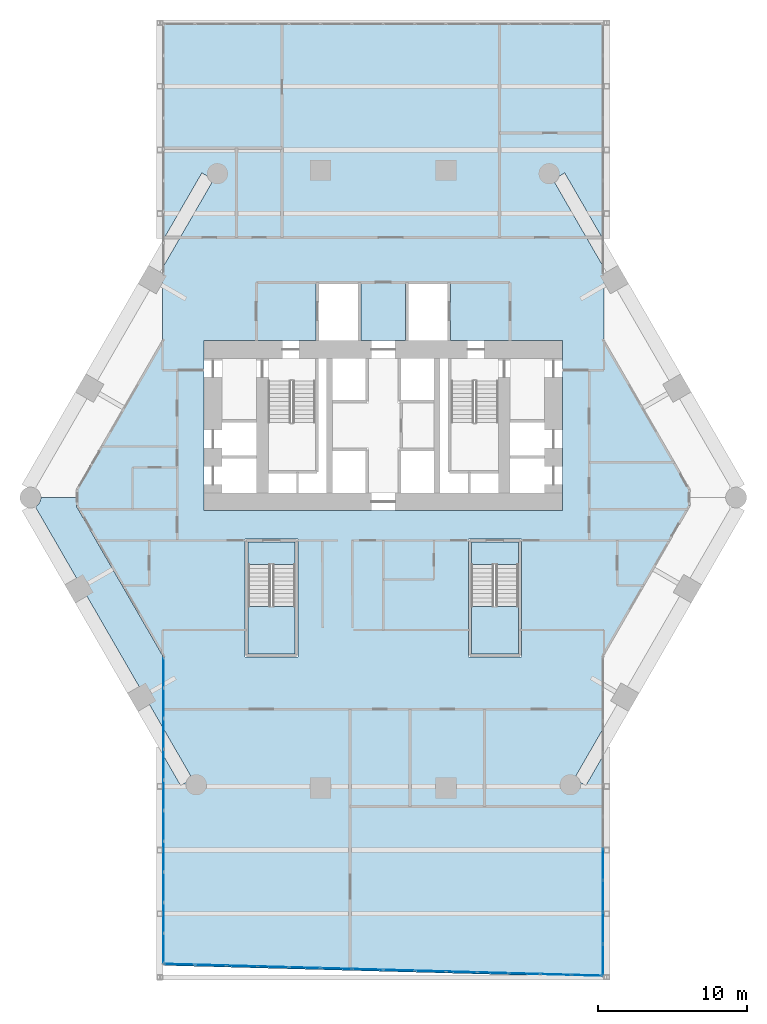
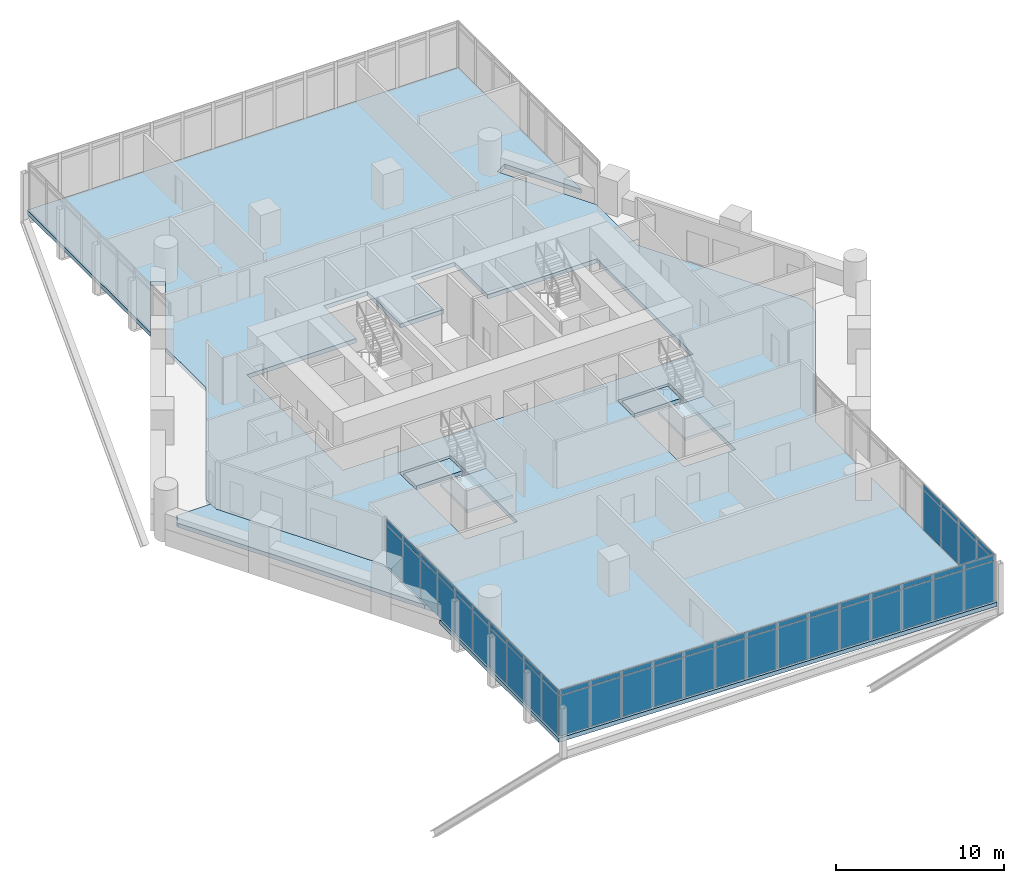
# One storey, part 27 of 38: 56 plates, 6 slabs, 5 elements without a shape of their own.
"""IFC4 building model written with IfcOpenShell, lengths in metres."""

from ifc_helpers import new_model, si_unit, direction, frame, origin, origin_2d, place, context, subcontext, project, spatial, polyline, rectangle, outline, extrude, material, layer, layer_set, type_object, element, aggregate, save


model = new_model("IFC4")

# Units and contexts
model_context = context("Model", 3, precision=1e-05, world=origin(), true_north=direction((0.0, 1.0)))
body_context = subcontext(model_context, "Body", "Model", "MODEL_VIEW")
ifc_project = project(units=[si_unit("LENGTHUNIT", "METRE"), si_unit("AREAUNIT", "SQUARE_METRE"), si_unit("VOLUMEUNIT", "CUBIC_METRE"), si_unit("PLANEANGLEUNIT", "RADIAN"), si_unit("MASSUNIT", "GRAM", prefix="KILO")], contexts=[model_context])

# Site, building, storey
site_placement = place(None, origin())
site = spatial("IfcSite", under=ifc_project, at=site_placement, CompositionType="ELEMENT")
building_placement = place(site_placement, origin())
building = spatial("IfcBuilding", under=site, at=building_placement, Name="Ostrander Bayou Hotel Tower", CompositionType="ELEMENT")
storey_placement = place(building_placement, frame((0.0, 0.0, 65.5)))
storey = spatial("IfcBuildingStorey", under=building, at=storey_placement, Name="L16", CompositionType="ELEMENT", Elevation=65.5)

# Curtain wall, plates
ifc_material_1 = material(Name="Aluminium and clear glass", Category="aluminium")
curtain_wall_type = type_object("IfcCurtainWallType", Name="CW-BAR glazed wall", PredefinedType="NOTDEFINED", material=ifc_material_1)
curtain_wall_1_placement = place(storey_placement, origin())
curtain_wall_1 = element("IfcCurtainWall", 1, at=curtain_wall_1_placement, inside=storey, type_object=curtain_wall_type, Name="CW-BAR L16:SB1S:E", PredefinedType="NOTDEFINED")
ifc_material_2 = material(Name="Clear laminated glass", Category="glass")
ifc_layer_1 = layer(ifc_material_2, 0.028076171875)
ifc_layer_set_1 = layer_set([ifc_layer_1], Name="CW-BR glazing panel 28 mm")
plate_type = type_object("IfcPlateType", Name="CW-BR glazing panel 28 mm", PredefinedType="CURTAIN_PANEL", material=ifc_layer_set_1)
plate_1_placement = place(storey_placement, frame((-14.712158203125, -12.559326171875, 0.06005859375), z_axis=(0.0, 0.0, 1.0), x_axis=(0.0, -1.0, 0.0)))
plate_1 = element("IfcPlate", 2, at=plate_1_placement, type_object=plate_type, Name="CW-BAR panel 1.1", PredefinedType="CURTAIN_PANEL", context=body_context, shape_type="SweptSolid", body=[
    extrude(rectangle(XDim=1.96337890625, YDim=0.028076171875, at=origin_2d()), origin(), (0.0, 0.0, 1.0), 2.909912109375),
])
plate_2_placement = place(storey_placement, frame((-14.712158203125, -12.559326171875, 3.02978515625), z_axis=(0.0, 0.0, 1.0), x_axis=(0.0, -1.0, 0.0)))
plate_2 = element("IfcPlate", 3, at=plate_2_placement, type_object=plate_type, Name="CW-BAR panel 1.2", PredefinedType="CURTAIN_PANEL", context=body_context, shape_type="SweptSolid", body=[
    extrude(rectangle(XDim=1.96337890625, YDim=0.028076171875, at=origin_2d()), origin(), (0.0, 0.0, 1.0), 0.360107421875),
])
plate_3_placement = place(storey_placement, frame((-14.712158203125, -14.597900390625, 0.06005859375), z_axis=(0.0, 0.0, 1.0), x_axis=(0.0, -1.0, 0.0)))
plate_3 = element("IfcPlate", 4, at=plate_3_placement, type_object=plate_type, Name="CW-BAR panel 2.1", PredefinedType="CURTAIN_PANEL", context=body_context, shape_type="SweptSolid", body=[
    extrude(rectangle(XDim=1.993408203125, YDim=0.028076171875, at=origin_2d()), origin(), (0.0, 0.0, 1.0), 2.909912109375),
])
plate_4_placement = place(storey_placement, frame((-14.712158203125, -14.597900390625, 3.02978515625), z_axis=(0.0, 0.0, 1.0), x_axis=(0.0, -1.0, 0.0)))
plate_4 = element("IfcPlate", 5, at=plate_4_placement, type_object=plate_type, Name="CW-BAR panel 2.2", PredefinedType="CURTAIN_PANEL", context=body_context, shape_type="SweptSolid", body=[
    extrude(rectangle(XDim=1.993408203125, YDim=0.028076171875, at=origin_2d()), origin(), (0.0, 0.0, 1.0), 0.360107421875),
])
plate_5_placement = place(storey_placement, frame((-14.712158203125, -16.6513671875, 0.06005859375), z_axis=(0.0, 0.0, 1.0), x_axis=(0.0, -1.0, 0.0)))
plate_5 = element("IfcPlate", 6, at=plate_5_placement, type_object=plate_type, Name="CW-BAR panel 3.1", PredefinedType="CURTAIN_PANEL", context=body_context, shape_type="SweptSolid", body=[
    extrude(rectangle(XDim=1.993408203125, YDim=0.028076171875, at=origin_2d()), origin(), (0.0, 0.0, 1.0), 2.909912109375),
])
plate_6_placement = place(storey_placement, frame((-14.712158203125, -16.6513671875, 3.02978515625), z_axis=(0.0, 0.0, 1.0), x_axis=(0.0, -1.0, 0.0)))
plate_6 = element("IfcPlate", 7, at=plate_6_placement, type_object=plate_type, Name="CW-BAR panel 3.2", PredefinedType="CURTAIN_PANEL", context=body_context, shape_type="SweptSolid", body=[
    extrude(rectangle(XDim=1.993408203125, YDim=0.028076171875, at=origin_2d()), origin(), (0.0, 0.0, 1.0), 0.360107421875),
])
plate_7_placement = place(storey_placement, frame((-14.712158203125, -18.70458984375, 0.06005859375), z_axis=(0.0, 0.0, 1.0), x_axis=(0.0, -1.0, 0.0)))
plate_7 = element("IfcPlate", 8, at=plate_7_placement, type_object=plate_type, Name="CW-BAR panel 4.1", PredefinedType="CURTAIN_PANEL", context=body_context, shape_type="SweptSolid", body=[
    extrude(rectangle(XDim=1.993408203125, YDim=0.028076171875, at=origin_2d()), origin(), (0.0, 0.0, 1.0), 2.909912109375),
])
plate_8_placement = place(storey_placement, frame((-14.712158203125, -18.70458984375, 3.02978515625), z_axis=(0.0, 0.0, 1.0), x_axis=(0.0, -1.0, 0.0)))
plate_8 = element("IfcPlate", 9, at=plate_8_placement, type_object=plate_type, Name="CW-BAR panel 4.2", PredefinedType="CURTAIN_PANEL", context=body_context, shape_type="SweptSolid", body=[
    extrude(rectangle(XDim=1.993408203125, YDim=0.028076171875, at=origin_2d()), origin(), (0.0, 0.0, 1.0), 0.360107421875),
])
plate_9_placement = place(storey_placement, frame((-14.712158203125, -20.758056640625, 0.06005859375), z_axis=(0.0, 0.0, 1.0), x_axis=(0.0, -1.0, 0.0)))
plate_9 = element("IfcPlate", 10, at=plate_9_placement, type_object=plate_type, Name="CW-BAR panel 5.1", PredefinedType="CURTAIN_PANEL", context=body_context, shape_type="SweptSolid", body=[
    extrude(rectangle(XDim=1.993408203125, YDim=0.028076171875, at=origin_2d()), origin(), (0.0, 0.0, 1.0), 2.909912109375),
])
plate_10_placement = place(storey_placement, frame((-14.712158203125, -20.758056640625, 3.02978515625), z_axis=(0.0, 0.0, 1.0), x_axis=(0.0, -1.0, 0.0)))
plate_10 = element("IfcPlate", 11, at=plate_10_placement, type_object=plate_type, Name="CW-BAR panel 5.2", PredefinedType="CURTAIN_PANEL", context=body_context, shape_type="SweptSolid", body=[
    extrude(rectangle(XDim=1.993408203125, YDim=0.028076171875, at=origin_2d()), origin(), (0.0, 0.0, 1.0), 0.360107421875),
])
plate_11_placement = place(storey_placement, frame((-14.712158203125, -22.8115234375, 0.06005859375), z_axis=(0.0, 0.0, 1.0), x_axis=(0.0, -1.0, 0.0)))
plate_11 = element("IfcPlate", 12, at=plate_11_placement, type_object=plate_type, Name="CW-BAR panel 6.1", PredefinedType="CURTAIN_PANEL", context=body_context, shape_type="SweptSolid", body=[
    extrude(rectangle(XDim=1.993408203125, YDim=0.028076171875, at=origin_2d()), origin(), (0.0, 0.0, 1.0), 2.909912109375),
])
plate_12_placement = place(storey_placement, frame((-14.712158203125, -22.8115234375, 3.02978515625), z_axis=(0.0, 0.0, 1.0), x_axis=(0.0, -1.0, 0.0)))
plate_12 = element("IfcPlate", 13, at=plate_12_placement, type_object=plate_type, Name="CW-BAR panel 6.2", PredefinedType="CURTAIN_PANEL", context=body_context, shape_type="SweptSolid", body=[
    extrude(rectangle(XDim=1.993408203125, YDim=0.028076171875, at=origin_2d()), origin(), (0.0, 0.0, 1.0), 0.360107421875),
])
plate_13_placement = place(storey_placement, frame((-14.712158203125, -24.864990234375, 0.06005859375), z_axis=(0.0, 0.0, 1.0), x_axis=(0.0, -1.0, 0.0)))
plate_13 = element("IfcPlate", 14, at=plate_13_placement, type_object=plate_type, Name="CW-BAR panel 7.1", PredefinedType="CURTAIN_PANEL", context=body_context, shape_type="SweptSolid", body=[
    extrude(rectangle(XDim=1.993408203125, YDim=0.028076171875, at=origin_2d()), origin(), (0.0, 0.0, 1.0), 2.909912109375),
])
plate_14_placement = place(storey_placement, frame((-14.712158203125, -24.864990234375, 3.02978515625), z_axis=(0.0, 0.0, 1.0), x_axis=(0.0, -1.0, 0.0)))
plate_14 = element("IfcPlate", 15, at=plate_14_placement, type_object=plate_type, Name="CW-BAR panel 7.2", PredefinedType="CURTAIN_PANEL", context=body_context, shape_type="SweptSolid", body=[
    extrude(rectangle(XDim=1.993408203125, YDim=0.028076171875, at=origin_2d()), origin(), (0.0, 0.0, 1.0), 0.360107421875),
])
plate_15_placement = place(storey_placement, frame((-14.712158203125, -26.91845703125, 0.06005859375), z_axis=(0.0, 0.0, 1.0), x_axis=(0.0, -1.0, 0.0)))
plate_15 = element("IfcPlate", 16, at=plate_15_placement, type_object=plate_type, Name="CW-BAR panel 8.1", PredefinedType="CURTAIN_PANEL", context=body_context, shape_type="SweptSolid", body=[
    extrude(rectangle(XDim=1.993408203125, YDim=0.028076171875, at=origin_2d()), origin(), (0.0, 0.0, 1.0), 2.909912109375),
])
plate_16_placement = place(storey_placement, frame((-14.712158203125, -26.91845703125, 3.02978515625), z_axis=(0.0, 0.0, 1.0), x_axis=(0.0, -1.0, 0.0)))
plate_16 = element("IfcPlate", 17, at=plate_16_placement, type_object=plate_type, Name="CW-BAR panel 8.2", PredefinedType="CURTAIN_PANEL", context=body_context, shape_type="SweptSolid", body=[
    extrude(rectangle(XDim=1.993408203125, YDim=0.028076171875, at=origin_2d()), origin(), (0.0, 0.0, 1.0), 0.360107421875),
])
plate_17_placement = place(storey_placement, frame((-14.712158203125, -28.971923828125, 0.06005859375), z_axis=(0.0, 0.0, 1.0), x_axis=(0.0, -1.0, 0.0)))
plate_17 = element("IfcPlate", 18, at=plate_17_placement, type_object=plate_type, Name="CW-BAR panel 9.1", PredefinedType="CURTAIN_PANEL", context=body_context, shape_type="SweptSolid", body=[
    extrude(rectangle(XDim=1.993408203125, YDim=0.028076171875, at=origin_2d()), origin(), (0.0, 0.0, 1.0), 2.909912109375),
])
plate_18_placement = place(storey_placement, frame((-14.712158203125, -28.971923828125, 3.02978515625), z_axis=(0.0, 0.0, 1.0), x_axis=(0.0, -1.0, 0.0)))
plate_18 = element("IfcPlate", 19, at=plate_18_placement, type_object=plate_type, Name="CW-BAR panel 9.2", PredefinedType="CURTAIN_PANEL", context=body_context, shape_type="SweptSolid", body=[
    extrude(rectangle(XDim=1.993408203125, YDim=0.028076171875, at=origin_2d()), origin(), (0.0, 0.0, 1.0), 0.360107421875),
])
plate_19_placement = place(storey_placement, frame((-14.712158203125, -31.01025390625, 0.06005859375), z_axis=(0.0, 0.0, 1.0), x_axis=(0.0, -1.0, 0.0)))
plate_19 = element("IfcPlate", 20, at=plate_19_placement, type_object=plate_type, Name="CW-BAR panel 10.1", PredefinedType="CURTAIN_PANEL", context=body_context, shape_type="SweptSolid", body=[
    extrude(rectangle(XDim=1.96337890625, YDim=0.028076171875, at=origin_2d()), origin(), (0.0, 0.0, 1.0), 2.909912109375),
])
plate_20_placement = place(storey_placement, frame((-14.712158203125, -31.01025390625, 3.02978515625), z_axis=(0.0, 0.0, 1.0), x_axis=(0.0, -1.0, 0.0)))
plate_20 = element("IfcPlate", 21, at=plate_20_placement, type_object=plate_type, Name="CW-BAR panel 10.2", PredefinedType="CURTAIN_PANEL", context=body_context, shape_type="SweptSolid", body=[
    extrude(rectangle(XDim=1.96337890625, YDim=0.028076171875, at=origin_2d()), origin(), (0.0, 0.0, 1.0), 0.360107421875),
])
aggregate(curtain_wall_1, [plate_1, plate_2, plate_3, plate_4, plate_5, plate_6, plate_7, plate_8, plate_9, plate_10, plate_11, plate_12, plate_13, plate_14, plate_15, plate_16, plate_17, plate_18, plate_19, plate_20])

curtain_wall_2_placement = place(storey_placement, origin())
curtain_wall_2 = element("IfcCurtainWall", 22, at=curtain_wall_2_placement, inside=storey, type_object=curtain_wall_type, Name="CW-BAR L16:SB1S:T", PredefinedType="NOTDEFINED")
plate_21_placement = place(storey_placement, frame((-13.646240234375, -32.080810546875, 0.06005859375), z_axis=(0.0, 0.0, 1.0), x_axis=(0.999634285133, -0.027042484848, 0.0)))
plate_21 = element("IfcPlate", 23, at=plate_21_placement, type_object=plate_type, Name="CW-BAR panel 1.1", PredefinedType="CURTAIN_PANEL", context=body_context, shape_type="SweptSolid", body=[
    extrude(rectangle(XDim=2.012451171875, YDim=0.028076171875, at=origin_2d()), origin(), (0.0, 0.0, 1.0), 2.909912109375),
])
plate_22_placement = place(storey_placement, frame((-13.646240234375, -32.080810546875, 3.02978515625), z_axis=(0.0, 0.0, 1.0), x_axis=(0.999634285133, -0.027042484848, 0.0)))
plate_22 = element("IfcPlate", 24, at=plate_22_placement, type_object=plate_type, Name="CW-BAR panel 1.2", PredefinedType="CURTAIN_PANEL", context=body_context, shape_type="SweptSolid", body=[
    extrude(rectangle(XDim=2.012451171875, YDim=0.028076171875, at=origin_2d()), origin(), (0.0, 0.0, 1.0), 0.360107421875),
])
plate_23_placement = place(storey_placement, frame((-11.5595703125, -32.13720703125, 0.06005859375), z_axis=(0.0, 0.0, 1.0), x_axis=(0.999634285133, -0.027042484848, 0.0)))
plate_23 = element("IfcPlate", 25, at=plate_23_placement, type_object=plate_type, Name="CW-BAR panel 2.1", PredefinedType="CURTAIN_PANEL", context=body_context, shape_type="SweptSolid", body=[
    extrude(rectangle(XDim=2.04248046875, YDim=0.028076171875, at=origin_2d()), origin(), (0.0, 0.0, 1.0), 2.909912109375),
])
plate_24_placement = place(storey_placement, frame((-11.5595703125, -32.13720703125, 3.02978515625), z_axis=(0.0, 0.0, 1.0), x_axis=(0.999634285133, -0.027042484848, 0.0)))
plate_24 = element("IfcPlate", 26, at=plate_24_placement, type_object=plate_type, Name="CW-BAR panel 2.2", PredefinedType="CURTAIN_PANEL", context=body_context, shape_type="SweptSolid", body=[
    extrude(rectangle(XDim=2.04248046875, YDim=0.028076171875, at=origin_2d()), origin(), (0.0, 0.0, 1.0), 0.360107421875),
])
plate_25_placement = place(storey_placement, frame((-9.457763671875, -32.194091796875, 0.06005859375), z_axis=(0.0, 0.0, 1.0), x_axis=(0.999634285133, -0.027042484848, 0.0)))
plate_25 = element("IfcPlate", 27, at=plate_25_placement, type_object=plate_type, Name="CW-BAR panel 3.1", PredefinedType="CURTAIN_PANEL", context=body_context, shape_type="SweptSolid", body=[
    extrude(rectangle(XDim=2.04248046875, YDim=0.028076171875, at=origin_2d()), origin(), (0.0, 0.0, 1.0), 2.909912109375),
])
plate_26_placement = place(storey_placement, frame((-9.457763671875, -32.194091796875, 3.02978515625), z_axis=(0.0, 0.0, 1.0), x_axis=(0.999634285133, -0.027042484848, 0.0)))
plate_26 = element("IfcPlate", 28, at=plate_26_placement, type_object=plate_type, Name="CW-BAR panel 3.2", PredefinedType="CURTAIN_PANEL", context=body_context, shape_type="SweptSolid", body=[
    extrude(rectangle(XDim=2.04248046875, YDim=0.028076171875, at=origin_2d()), origin(), (0.0, 0.0, 1.0), 0.360107421875),
])
plate_27_placement = place(storey_placement, frame((-7.356201171875, -32.2509765625, 0.06005859375), z_axis=(0.0, 0.0, 1.0), x_axis=(0.999634285133, -0.027042484848, 0.0)))
plate_27 = element("IfcPlate", 29, at=plate_27_placement, type_object=plate_type, Name="CW-BAR panel 4.1", PredefinedType="CURTAIN_PANEL", context=body_context, shape_type="SweptSolid", body=[
    extrude(rectangle(XDim=2.04248046875, YDim=0.028076171875, at=origin_2d()), origin(), (0.0, 0.0, 1.0), 2.909912109375),
])
plate_28_placement = place(storey_placement, frame((-7.356201171875, -32.2509765625, 3.02978515625), z_axis=(0.0, 0.0, 1.0), x_axis=(0.999634285133, -0.027042484848, 0.0)))
plate_28 = element("IfcPlate", 30, at=plate_28_placement, type_object=plate_type, Name="CW-BAR panel 4.2", PredefinedType="CURTAIN_PANEL", context=body_context, shape_type="SweptSolid", body=[
    extrude(rectangle(XDim=2.04248046875, YDim=0.028076171875, at=origin_2d()), origin(), (0.0, 0.0, 1.0), 0.360107421875),
])
plate_29_placement = place(storey_placement, frame((-5.25439453125, -32.307861328125, 0.06005859375), z_axis=(0.0, 0.0, 1.0), x_axis=(0.999634285133, -0.027042484848, 0.0)))
plate_29 = element("IfcPlate", 31, at=plate_29_placement, type_object=plate_type, Name="CW-BAR panel 5.1", PredefinedType="CURTAIN_PANEL", context=body_context, shape_type="SweptSolid", body=[
    extrude(rectangle(XDim=2.04248046875, YDim=0.028076171875, at=origin_2d()), origin(), (0.0, 0.0, 1.0), 2.909912109375),
])
plate_30_placement = place(storey_placement, frame((-5.25439453125, -32.307861328125, 3.02978515625), z_axis=(0.0, 0.0, 1.0), x_axis=(0.999634285133, -0.027042484848, 0.0)))
plate_30 = element("IfcPlate", 32, at=plate_30_placement, type_object=plate_type, Name="CW-BAR panel 5.2", PredefinedType="CURTAIN_PANEL", context=body_context, shape_type="SweptSolid", body=[
    extrude(rectangle(XDim=2.04248046875, YDim=0.028076171875, at=origin_2d()), origin(), (0.0, 0.0, 1.0), 0.360107421875),
])
plate_31_placement = place(storey_placement, frame((-3.152587890625, -32.36474609375, 0.06005859375), z_axis=(0.0, 0.0, 1.0), x_axis=(0.999634285133, -0.027042484848, 0.0)))
plate_31 = element("IfcPlate", 33, at=plate_31_placement, type_object=plate_type, Name="CW-BAR panel 6.1", PredefinedType="CURTAIN_PANEL", context=body_context, shape_type="SweptSolid", body=[
    extrude(rectangle(XDim=2.04248046875, YDim=0.028076171875, at=origin_2d()), origin(), (0.0, 0.0, 1.0), 2.909912109375),
])
plate_32_placement = place(storey_placement, frame((-3.152587890625, -32.36474609375, 3.02978515625), z_axis=(0.0, 0.0, 1.0), x_axis=(0.999634285133, -0.027042484848, 0.0)))
plate_32 = element("IfcPlate", 34, at=plate_32_placement, type_object=plate_type, Name="CW-BAR panel 6.2", PredefinedType="CURTAIN_PANEL", context=body_context, shape_type="SweptSolid", body=[
    extrude(rectangle(XDim=2.04248046875, YDim=0.028076171875, at=origin_2d()), origin(), (0.0, 0.0, 1.0), 0.360107421875),
])
plate_33_placement = place(storey_placement, frame((-1.05078125, -32.421630859375, 0.06005859375), z_axis=(0.0, 0.0, 1.0), x_axis=(0.999634285133, -0.027042484848, 0.0)))
plate_33 = element("IfcPlate", 35, at=plate_33_placement, type_object=plate_type, Name="CW-BAR panel 7.1", PredefinedType="CURTAIN_PANEL", context=body_context, shape_type="SweptSolid", body=[
    extrude(rectangle(XDim=2.04248046875, YDim=0.028076171875, at=origin_2d()), origin(), (0.0, 0.0, 1.0), 2.909912109375),
])
plate_34_placement = place(storey_placement, frame((-1.05078125, -32.421630859375, 3.02978515625), z_axis=(0.0, 0.0, 1.0), x_axis=(0.999634285133, -0.027042484848, 0.0)))
plate_34 = element("IfcPlate", 36, at=plate_34_placement, type_object=plate_type, Name="CW-BAR panel 7.2", PredefinedType="CURTAIN_PANEL", context=body_context, shape_type="SweptSolid", body=[
    extrude(rectangle(XDim=2.04248046875, YDim=0.028076171875, at=origin_2d()), origin(), (0.0, 0.0, 1.0), 0.360107421875),
])
plate_35_placement = place(storey_placement, frame((1.05078125, -32.478515625, 0.06005859375), z_axis=(0.0, 0.0, 1.0), x_axis=(0.999634285133, -0.027042484848, 0.0)))
plate_35 = element("IfcPlate", 37, at=plate_35_placement, type_object=plate_type, Name="CW-BAR panel 8.1", PredefinedType="CURTAIN_PANEL", context=body_context, shape_type="SweptSolid", body=[
    extrude(rectangle(XDim=2.04248046875, YDim=0.028076171875, at=origin_2d()), origin(), (0.0, 0.0, 1.0), 2.909912109375),
])
plate_36_placement = place(storey_placement, frame((1.05078125, -32.478515625, 3.02978515625), z_axis=(0.0, 0.0, 1.0), x_axis=(0.999634285133, -0.027042484848, 0.0)))
plate_36 = element("IfcPlate", 38, at=plate_36_placement, type_object=plate_type, Name="CW-BAR panel 8.2", PredefinedType="CURTAIN_PANEL", context=body_context, shape_type="SweptSolid", body=[
    extrude(rectangle(XDim=2.04248046875, YDim=0.028076171875, at=origin_2d()), origin(), (0.0, 0.0, 1.0), 0.360107421875),
])
plate_37_placement = place(storey_placement, frame((3.152587890625, -32.535400390625, 0.06005859375), z_axis=(0.0, 0.0, 1.0), x_axis=(0.999634285133, -0.027042484848, 0.0)))
plate_37 = element("IfcPlate", 39, at=plate_37_placement, type_object=plate_type, Name="CW-BAR panel 9.1", PredefinedType="CURTAIN_PANEL", context=body_context, shape_type="SweptSolid", body=[
    extrude(rectangle(XDim=2.04248046875, YDim=0.028076171875, at=origin_2d()), origin(), (0.0, 0.0, 1.0), 2.909912109375),
])
plate_38_placement = place(storey_placement, frame((3.152587890625, -32.535400390625, 3.02978515625), z_axis=(0.0, 0.0, 1.0), x_axis=(0.999634285133, -0.027042484848, 0.0)))
plate_38 = element("IfcPlate", 40, at=plate_38_placement, type_object=plate_type, Name="CW-BAR panel 9.2", PredefinedType="CURTAIN_PANEL", context=body_context, shape_type="SweptSolid", body=[
    extrude(rectangle(XDim=2.04248046875, YDim=0.028076171875, at=origin_2d()), origin(), (0.0, 0.0, 1.0), 0.360107421875),
])
plate_39_placement = place(storey_placement, frame((5.25439453125, -32.592041015625, 0.06005859375), z_axis=(0.0, 0.0, 1.0), x_axis=(0.999634285133, -0.027042484848, 0.0)))
plate_39 = element("IfcPlate", 41, at=plate_39_placement, type_object=plate_type, Name="CW-BAR panel 10.1", PredefinedType="CURTAIN_PANEL", context=body_context, shape_type="SweptSolid", body=[
    extrude(rectangle(XDim=2.04248046875, YDim=0.028076171875, at=origin_2d()), origin(), (0.0, 0.0, 1.0), 2.909912109375),
])
plate_40_placement = place(storey_placement, frame((5.25439453125, -32.592041015625, 3.02978515625), z_axis=(0.0, 0.0, 1.0), x_axis=(0.999634285133, -0.027042484848, 0.0)))
plate_40 = element("IfcPlate", 42, at=plate_40_placement, type_object=plate_type, Name="CW-BAR panel 10.2", PredefinedType="CURTAIN_PANEL", context=body_context, shape_type="SweptSolid", body=[
    extrude(rectangle(XDim=2.04248046875, YDim=0.028076171875, at=origin_2d()), origin(), (0.0, 0.0, 1.0), 0.360107421875),
])
plate_41_placement = place(storey_placement, frame((7.356201171875, -32.64892578125, 0.06005859375), z_axis=(0.0, 0.0, 1.0), x_axis=(0.999634285133, -0.027042484848, 0.0)))
plate_41 = element("IfcPlate", 43, at=plate_41_placement, type_object=plate_type, Name="CW-BAR panel 11.1", PredefinedType="CURTAIN_PANEL", context=body_context, shape_type="SweptSolid", body=[
    extrude(rectangle(XDim=2.04248046875, YDim=0.028076171875, at=origin_2d()), origin(), (0.0, 0.0, 1.0), 2.909912109375),
])
plate_42_placement = place(storey_placement, frame((7.356201171875, -32.64892578125, 3.02978515625), z_axis=(0.0, 0.0, 1.0), x_axis=(0.999634285133, -0.027042484848, 0.0)))
plate_42 = element("IfcPlate", 44, at=plate_42_placement, type_object=plate_type, Name="CW-BAR panel 11.2", PredefinedType="CURTAIN_PANEL", context=body_context, shape_type="SweptSolid", body=[
    extrude(rectangle(XDim=2.04248046875, YDim=0.028076171875, at=origin_2d()), origin(), (0.0, 0.0, 1.0), 0.360107421875),
])
plate_43_placement = place(storey_placement, frame((9.457763671875, -32.705810546875, 0.06005859375), z_axis=(0.0, 0.0, 1.0), x_axis=(0.999634285133, -0.027042484848, 0.0)))
plate_43 = element("IfcPlate", 45, at=plate_43_placement, type_object=plate_type, Name="CW-BAR panel 12.1", PredefinedType="CURTAIN_PANEL", context=body_context, shape_type="SweptSolid", body=[
    extrude(rectangle(XDim=2.04248046875, YDim=0.028076171875, at=origin_2d()), origin(), (0.0, 0.0, 1.0), 2.909912109375),
])
plate_44_placement = place(storey_placement, frame((9.457763671875, -32.705810546875, 3.02978515625), z_axis=(0.0, 0.0, 1.0), x_axis=(0.999634285133, -0.027042484848, 0.0)))
plate_44 = element("IfcPlate", 46, at=plate_44_placement, type_object=plate_type, Name="CW-BAR panel 12.2", PredefinedType="CURTAIN_PANEL", context=body_context, shape_type="SweptSolid", body=[
    extrude(rectangle(XDim=2.04248046875, YDim=0.028076171875, at=origin_2d()), origin(), (0.0, 0.0, 1.0), 0.360107421875),
])
plate_45_placement = place(storey_placement, frame((11.5595703125, -32.7626953125, 0.06005859375), z_axis=(0.0, 0.0, 1.0), x_axis=(0.999634285133, -0.027042484848, 0.0)))
plate_45 = element("IfcPlate", 47, at=plate_45_placement, type_object=plate_type, Name="CW-BAR panel 13.1", PredefinedType="CURTAIN_PANEL", context=body_context, shape_type="SweptSolid", body=[
    extrude(rectangle(XDim=2.04248046875, YDim=0.028076171875, at=origin_2d()), origin(), (0.0, 0.0, 1.0), 2.909912109375),
])
plate_46_placement = place(storey_placement, frame((11.5595703125, -32.7626953125, 3.02978515625), z_axis=(0.0, 0.0, 1.0), x_axis=(0.999634285133, -0.027042484848, 0.0)))
plate_46 = element("IfcPlate", 48, at=plate_46_placement, type_object=plate_type, Name="CW-BAR panel 13.2", PredefinedType="CURTAIN_PANEL", context=body_context, shape_type="SweptSolid", body=[
    extrude(rectangle(XDim=2.04248046875, YDim=0.028076171875, at=origin_2d()), origin(), (0.0, 0.0, 1.0), 0.360107421875),
])
plate_47_placement = place(storey_placement, frame((13.646240234375, -32.819091796875, 0.06005859375), z_axis=(0.0, 0.0, 1.0), x_axis=(0.999634285133, -0.027042484848, 0.0)))
plate_47 = element("IfcPlate", 49, at=plate_47_placement, type_object=plate_type, Name="CW-BAR panel 14.1", PredefinedType="CURTAIN_PANEL", context=body_context, shape_type="SweptSolid", body=[
    extrude(rectangle(XDim=2.012451171875, YDim=0.028076171875, at=origin_2d()), origin(), (0.0, 0.0, 1.0), 2.909912109375),
])
plate_48_placement = place(storey_placement, frame((13.646240234375, -32.819091796875, 3.02978515625), z_axis=(0.0, 0.0, 1.0), x_axis=(0.999634285133, -0.027042484848, 0.0)))
plate_48 = element("IfcPlate", 50, at=plate_48_placement, type_object=plate_type, Name="CW-BAR panel 14.2", PredefinedType="CURTAIN_PANEL", context=body_context, shape_type="SweptSolid", body=[
    extrude(rectangle(XDim=2.012451171875, YDim=0.028076171875, at=origin_2d()), origin(), (0.0, 0.0, 1.0), 0.360107421875),
])
aggregate(curtain_wall_2, [plate_21, plate_22, plate_23, plate_24, plate_25, plate_26, plate_27, plate_28, plate_29, plate_30, plate_31, plate_32, plate_33, plate_34, plate_35, plate_36, plate_37, plate_38, plate_39, plate_40, plate_41, plate_42, plate_43, plate_44, plate_45, plate_46, plate_47, plate_48])

curtain_wall_3_placement = place(storey_placement, origin())
curtain_wall_3 = element("IfcCurtainWall", 51, at=curtain_wall_3_placement, inside=storey, type_object=curtain_wall_type, Name="CW-BAR L16:SB1S:W", PredefinedType="NOTDEFINED")
plate_49_placement = place(storey_placement, frame((14.712158203125, -25.38232421875, 0.06005859375), z_axis=(0.0, 0.0, 1.0), x_axis=(0.0, -1.0, 0.0)))
plate_49 = element("IfcPlate", 52, at=plate_49_placement, type_object=plate_type, Name="CW-BAR panel 7.1", PredefinedType="CURTAIN_PANEL", context=body_context, shape_type="SweptSolid", body=[
    extrude(rectangle(XDim=2.072998046875, YDim=0.028076171875, at=origin_2d()), origin(), (0.0, 0.0, 1.0), 2.909912109375),
])
plate_50_placement = place(storey_placement, frame((14.712158203125, -25.38232421875, 3.02978515625), z_axis=(0.0, 0.0, 1.0), x_axis=(0.0, -1.0, 0.0)))
plate_50 = element("IfcPlate", 53, at=plate_50_placement, type_object=plate_type, Name="CW-BAR panel 7.2", PredefinedType="CURTAIN_PANEL", context=body_context, shape_type="SweptSolid", body=[
    extrude(rectangle(XDim=2.072998046875, YDim=0.028076171875, at=origin_2d()), origin(), (0.0, 0.0, 1.0), 0.360107421875),
])
plate_51_placement = place(storey_placement, frame((14.712158203125, -27.515380859375, 0.06005859375), z_axis=(0.0, 0.0, 1.0), x_axis=(0.0, -1.0, 0.0)))
plate_51 = element("IfcPlate", 54, at=plate_51_placement, type_object=plate_type, Name="CW-BAR panel 8.1", PredefinedType="CURTAIN_PANEL", context=body_context, shape_type="SweptSolid", body=[
    extrude(rectangle(XDim=2.072998046875, YDim=0.028076171875, at=origin_2d()), origin(), (0.0, 0.0, 1.0), 2.909912109375),
])
plate_52_placement = place(storey_placement, frame((14.712158203125, -27.515380859375, 3.02978515625), z_axis=(0.0, 0.0, 1.0), x_axis=(0.0, -1.0, 0.0)))
plate_52 = element("IfcPlate", 55, at=plate_52_placement, type_object=plate_type, Name="CW-BAR panel 8.2", PredefinedType="CURTAIN_PANEL", context=body_context, shape_type="SweptSolid", body=[
    extrude(rectangle(XDim=2.072998046875, YDim=0.028076171875, at=origin_2d()), origin(), (0.0, 0.0, 1.0), 0.360107421875),
])
plate_53_placement = place(storey_placement, frame((14.712158203125, -29.6484375, 0.06005859375), z_axis=(0.0, 0.0, 1.0), x_axis=(0.0, -1.0, 0.0)))
plate_53 = element("IfcPlate", 56, at=plate_53_placement, type_object=plate_type, Name="CW-BAR panel 9.1", PredefinedType="CURTAIN_PANEL", context=body_context, shape_type="SweptSolid", body=[
    extrude(rectangle(XDim=2.072998046875, YDim=0.028076171875, at=origin_2d()), origin(), (0.0, 0.0, 1.0), 2.909912109375),
])
plate_54_placement = place(storey_placement, frame((14.712158203125, -29.6484375, 3.02978515625), z_axis=(0.0, 0.0, 1.0), x_axis=(0.0, -1.0, 0.0)))
plate_54 = element("IfcPlate", 57, at=plate_54_placement, type_object=plate_type, Name="CW-BAR panel 9.2", PredefinedType="CURTAIN_PANEL", context=body_context, shape_type="SweptSolid", body=[
    extrude(rectangle(XDim=2.072998046875, YDim=0.028076171875, at=origin_2d()), origin(), (0.0, 0.0, 1.0), 0.360107421875),
])
plate_55_placement = place(storey_placement, frame((14.712158203125, -31.7666015625, 0.06005859375), z_axis=(0.0, 0.0, 1.0), x_axis=(0.0, -1.0, 0.0)))
plate_55 = element("IfcPlate", 58, at=plate_55_placement, type_object=plate_type, Name="CW-BAR panel 10.1", PredefinedType="CURTAIN_PANEL", context=body_context, shape_type="SweptSolid", body=[
    extrude(rectangle(XDim=2.04296875, YDim=0.028076171875, at=origin_2d()), origin(), (0.0, 0.0, 1.0), 2.909912109375),
])
plate_56_placement = place(storey_placement, frame((14.712158203125, -31.7666015625, 3.02978515625), z_axis=(0.0, 0.0, 1.0), x_axis=(0.0, -1.0, 0.0)))
plate_56 = element("IfcPlate", 59, at=plate_56_placement, type_object=plate_type, Name="CW-BAR panel 10.2", PredefinedType="CURTAIN_PANEL", context=body_context, shape_type="SweptSolid", body=[
    extrude(rectangle(XDim=2.04296875, YDim=0.028076171875, at=origin_2d()), origin(), (0.0, 0.0, 1.0), 0.360107421875),
])
aggregate(curtain_wall_3, [plate_49, plate_50, plate_51, plate_52, plate_53, plate_54, plate_55, plate_56])

# Slabs
ifc_material_3 = material(Name="Concrete f'c 40 MPa", Category="concrete")
ifc_layer_2 = layer(ifc_material_3, 0.300048828125)
ifc_layer_set_2 = layer_set([ifc_layer_2], Name="SL1 floor slab 300 mm f'c 40 MPa")
slab_type_1 = type_object("IfcSlabType", Name="SL1 floor slab 300 mm f'c 40 MPa", PredefinedType="FLOOR", material=ifc_layer_set_2)
slab_1_placement = place(storey_placement, frame((0.0, 0.0, -0.300048828125)))
element("IfcSlab", 60, at=slab_1_placement, inside=storey, type_object=slab_type_1, Name="SL1 L16 1", PredefinedType="FLOOR", context=body_context, shape_type="SweptSolid", body=[
    extrude(outline(polyline([(-13.5673828125, -20.100830078125), (-12.787841796875, -19.65087890625), (-14.787109375, -16.187744140625), (-14.787109375, -11.3876953125), (-20.543212890625, -1.418212890625), (-20.543212890625, -0.21826171875), (-14.787109375, 9.751220703125), (-14.787109375, 14.55126953125), (-11.37060546875, 20.468994140625), (-12.14990234375, 20.9189453125), (-14.787109375, 16.351318359375), (-14.787109375, 30.986083984375), (14.787109375, 30.986083984375), (14.787109375, 16.351318359375), (12.14990234375, 20.9189453125), (11.37060546875, 20.468994140625), (14.787109375, 14.55126953125), (14.787109375, 9.751220703125), (20.543212890625, -0.21826171875), (20.543212890625, -1.418212890625), (14.787109375, -11.3876953125), (14.787109375, -16.187744140625), (12.787841796875, -19.65087890625), (13.5673828125, -20.100830078125), (14.787109375, -17.98779296875), (14.787109375, -32.949951171875), (-14.787109375, -32.14990234375), (-14.787109375, -17.98779296875), (-13.5673828125, -20.100830078125)]), holes=[polyline([(-12.0, -1.699951171875), (12.0, -1.699951171875), (12.0, 9.699951171875), (4.5, 9.699951171875), (4.5, 13.60009765625), (1.5, 13.60009765625), (1.5, 9.699951171875), (-1.5, 9.699951171875), (-1.5, 13.60009765625), (-4.5, 13.60009765625), (-4.5, 9.699951171875), (-12.0, 9.699951171875), (-12.0, -1.699951171875)]), polyline([(9.25, -3.60009765625), (5.699951171875, -3.60009765625), (5.699951171875, -11.5), (9.25, -11.5), (9.25, -3.60009765625)]), polyline([(-5.699951171875, -3.60009765625), (-9.25, -3.60009765625), (-9.25, -11.5), (-5.699951171875, -11.5), (-5.699951171875, -3.60009765625)])]), origin(), (0.0, 0.0, 1.0), 0.300048828125),
])
slab_2_placement = place(storey_placement, frame((0.0, 0.0, -0.300048828125)))
element("IfcSlab", 61, at=slab_2_placement, inside=storey, type_object=slab_type_1, Name="cslab:L16:006", PredefinedType="FLOOR", context=body_context, shape_type="SweptSolid", body=[
    extrude(outline(polyline([(9.050048828125, -5.300048828125), (9.050048828125, -3.800048828125), (5.89990234375, -3.800048828125), (5.89990234375, -5.300048828125), (9.050048828125, -5.300048828125)])), origin(), (0.0, 0.0, 1.0), 0.300048828125),
])
slab_3_placement = place(storey_placement, frame((0.0, 0.0, -0.300048828125)))
element("IfcSlab", 62, at=slab_3_placement, inside=storey, type_object=slab_type_1, Name="cslab:L16:007", PredefinedType="FLOOR", context=body_context, shape_type="SweptSolid", body=[
    extrude(outline(polyline([(-5.89990234375, -5.300048828125), (-5.89990234375, -3.800048828125), (-9.050048828125, -3.800048828125), (-9.050048828125, -5.300048828125), (-5.89990234375, -5.300048828125)])), origin(), (0.0, 0.0, 1.0), 0.300048828125),
])
ifc_material_4 = material(Name="Concrete f'c 40 MPa", Category="concrete")
ifc_layer_3 = layer(ifc_material_4, 0.300048828125)
ifc_layer_set_3 = layer_set([ifc_layer_3], Name="SL4 loggia slab 300 mm f'c 40 MPa")
slab_type_2 = type_object("IfcSlabType", Name="SL4 loggia slab 300 mm f'c 40 MPa", PredefinedType="FLOOR", material=ifc_layer_set_3)
slab_4_placement = place(storey_placement, frame((0.0, 0.0, -0.300048828125)))
element("IfcSlab", 63, at=slab_4_placement, inside=storey, type_object=slab_type_2, Name="SL4 LOGGIA L16 SW 1", PredefinedType="FLOOR", context=body_context, shape_type="SweptSolid", body=[
    extrude(outline(polyline([(-14.787109375, -16.187744140625), (-15.667236328125, -14.66357421875), (-16.337158203125, -13.503173828125), (-19.862548828125, -7.39697265625), (-20.53271484375, -6.236328125), (-23.227783203125, -1.568359375), (-23.227783203125, -1.390380859375), (-23.1337890625, -1.313232421875), (-23.046630859375, -1.207275390625), (-22.982177734375, -1.086181640625), (-22.942138671875, -0.954833984375), (-22.9287109375, -0.818359375), (-20.543212890625, -0.818359375), (-20.543212890625, -1.418212890625), (-14.787109375, -11.3876953125), (-14.787109375, -16.187744140625)])), origin(), (0.0, 0.0, 1.0), 0.300048828125),
])

# Stair, slab
ifc_material_5 = material(Name="Concrete f'c 45 MPa", Category="concrete")
stair_type = type_object("IfcStairType", Name="ST1 exit stair 1500 mm f'c 45 MPa", PredefinedType="HALF_TURN_STAIR", material=ifc_material_5)
stair_1_placement = place(storey_placement, origin())
stair_1 = element("IfcStair", 64, at=stair_1_placement, inside=storey, type_object=stair_type, Name="L16 exit stair C", PredefinedType="HALF_TURN_STAIR")
ifc_material_6 = material(Name="Concrete f'c 45 MPa", Category="concrete")
ifc_layer_4 = layer(ifc_material_6, 0.199951171875)
ifc_layer_set_4 = layer_set([ifc_layer_4], Name="SL8 stair landing 200 mm f'c 45 MPa")
slab_type_3 = type_object("IfcSlabType", Name="SL8 stair landing 200 mm f'c 45 MPa", PredefinedType="LANDING", material=ifc_layer_set_4)
slab_5_placement = place(storey_placement, frame((0.0, 0.0, 1.675048828125)))
slab_5 = element("IfcSlab", 65, at=slab_5_placement, type_object=slab_type_3, Name="STC landing 1", PredefinedType="LANDING", context=body_context, shape_type="SweptSolid", body=[
    extrude(outline(polyline([(5.89990234375, -8.10009765625), (5.89990234375, -11.300048828125), (9.050048828125, -11.300048828125), (9.050048828125, -8.10009765625), (5.89990234375, -8.10009765625)])), origin(), (0.0, 0.0, 1.0), 0.199951171875),
])
aggregate(stair_1, [slab_5])

stair_2_placement = place(storey_placement, origin())
stair_2 = element("IfcStair", 66, at=stair_2_placement, inside=storey, type_object=stair_type, Name="L16 exit stair D", PredefinedType="HALF_TURN_STAIR")
slab_6_placement = place(storey_placement, frame((0.0, 0.0, 1.675048828125)))
slab_6 = element("IfcSlab", 67, at=slab_6_placement, type_object=slab_type_3, Name="STD landing 1", PredefinedType="LANDING", context=body_context, shape_type="SweptSolid", body=[
    extrude(outline(polyline([(-9.050048828125, -8.10009765625), (-9.050048828125, -11.300048828125), (-5.89990234375, -11.300048828125), (-5.89990234375, -8.10009765625), (-9.050048828125, -8.10009765625)])), origin(), (0.0, 0.0, 1.0), 0.199951171875),
])
aggregate(stair_2, [slab_6])

save(model, "model.ifc")
